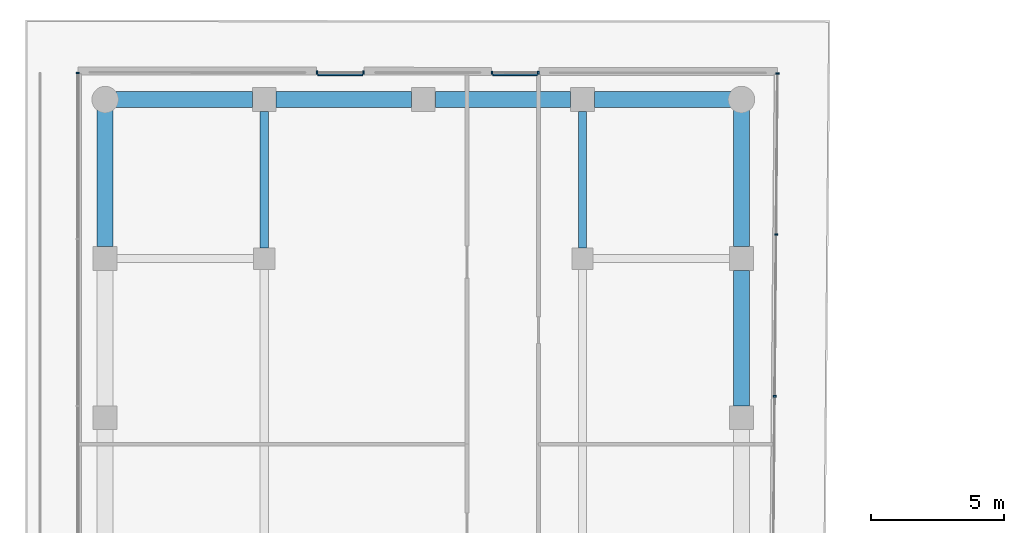
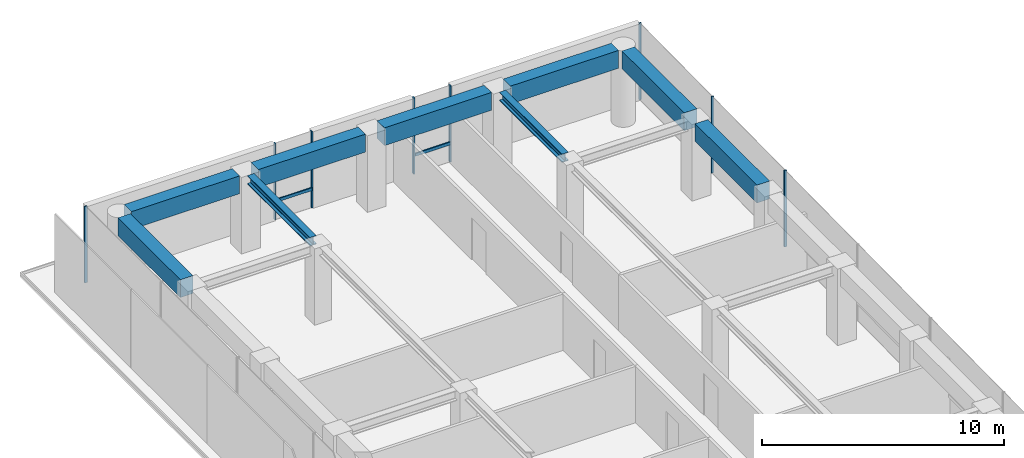
# One storey, part 16 of 23: 10 members, 9 beams, 4 elements without a shape of their own.
"""IFC4 building model written with IfcOpenShell, lengths in metres."""

from ifc_helpers import new_model, si_unit, direction, frame, origin, origin_2d, place, context, subcontext, project, spatial, rectangle, i_section, extrude, material, layer, layer_set, material_profile, profile_set, type_object, element, aggregate, save


model = new_model("IFC4")

# Units and contexts
model_context = context("Model", 3, precision=1e-05, world=origin(), true_north=direction((0.0, 1.0)))
body_context = subcontext(model_context, "Body", "Model", "MODEL_VIEW")
ifc_project = project(units=[si_unit("LENGTHUNIT", "METRE"), si_unit("AREAUNIT", "SQUARE_METRE"), si_unit("VOLUMEUNIT", "CUBIC_METRE"), si_unit("PLANEANGLEUNIT", "RADIAN"), si_unit("MASSUNIT", "GRAM", prefix="KILO")], contexts=[model_context])

# Site, building, storey
site_placement = place(None, origin())
site = spatial("IfcSite", under=ifc_project, at=site_placement, CompositionType="ELEMENT")
building_placement = place(site_placement, origin())
building = spatial("IfcBuilding", under=site, at=building_placement, Name="Welwitschia Terrace Campus", CompositionType="ELEMENT")
storey_placement = place(building_placement, frame((0.0, 0.0, 113.0)))
storey = spatial("IfcBuildingStorey", under=building, at=storey_placement, Name="L25", CompositionType="ELEMENT", Elevation=113.0)

# Beams
ifc_material_1 = material(Name="Steel S355", Category="steel")
ifc_material_profile_1 = material_profile(ifc_material_1, i_section(OverallWidth=0.306884765625, OverallDepth=0.431884765625, WebThickness=0.02099609375, FlangeThickness=0.0400390625, FilletRadius=0.027099609375, at=origin_2d()))
ifc_profile_set_1 = profile_set([ifc_material_profile_1], Name="Steel S355")
beam_type_1 = type_object("IfcBeamType", Name="Interior girder HE 400 M", PredefinedType="BEAM", material=ifc_profile_set_1)
for number, where, z_axis, x_axis, name in (
    (1, (6.0, 64.400390625, 3.634033203125), (0.0, 1.0, 0.0), (-1.0, 0.0, 0.0), "Girder GB3"),
    (2, (18.0, 64.400390625, 3.634033203125), (0.0, 1.0, 0.0), (-1.0, 0.0, 0.0), "Girder GB3"),
):
    element("IfcBeam", number, at=place(storey_placement, frame(where, z_axis=z_axis, x_axis=x_axis)), inside=storey, type_object=beam_type_1, Name=name, PredefinedType="BEAM", context=body_context, shape_type="SweptSolid", body=[
        extrude(i_section(OverallWidth=0.306884765625, OverallDepth=0.431884765625, WebThickness=0.02099609375, FlangeThickness=0.0400390625, FilletRadius=0.027099609375, at=origin_2d()), origin(), (0.0, 0.0, 1.0), 5.1591796875),
    ])

# Curtain wall, members
ifc_material_2 = material(Name="Bronze anodised aluminium", Category="aluminium")
ifc_layer = layer(ifc_material_2, 0.1201171875)
ifc_layer_set = layer_set([ifc_layer], Name="Bronze anodised aluminium")
curtain_wall_type = type_object("IfcCurtainWallType", Name="Curtain wall CW2 tower 6000", PredefinedType="NOTDEFINED", material=ifc_layer_set)
curtain_wall_1_placement = place(storey_placement, origin())
curtain_wall_1 = element("IfcCurtainWall", 3, at=curtain_wall_1_placement, inside=storey, type_object=curtain_wall_type, Name="CW L25.0.S0", PredefinedType="NOTDEFINED")
ifc_material_3 = material(Name="Bronze anodised aluminium", Category="aluminium")
ifc_material_profile_2 = material_profile(ifc_material_3, rectangle(XDim=0.1201171875, YDim=0.06005859375, at=origin_2d()))
ifc_profile_set_2 = profile_set([ifc_material_profile_2], Name="Bronze anodised aluminium")
member_type_1 = type_object("IfcMemberType", Name="Mullion 60x120", PredefinedType="MULLION", material=ifc_profile_set_2)
member_1_placement = place(storey_placement, frame((16.333984375, 71.015625, 0.0), z_axis=(0.0, 0.0, 1.0), x_axis=(-0.000823974926, -0.999999660533, 0.0)))
member_1 = element("IfcMember", 4, at=member_1_placement, type_object=member_type_1, Name="Mullion L25.0.S0.0", PredefinedType="MULLION", context=body_context, shape_type="SweptSolid", body=[
    extrude(rectangle(XDim=0.1201171875, YDim=0.06005859375, at=origin_2d()), origin(), (0.0, 0.0, 1.0), 3.85009765625),
])
member_2_placement = place(storey_placement, frame((14.593994140625, 71.01708984375, 0.0), z_axis=(0.0, 0.0, 1.0), x_axis=(-0.000823974926, -0.999999660533, 0.0)))
member_2 = element("IfcMember", 5, at=member_2_placement, type_object=member_type_1, Name="Mullion L25.0.S0.1", PredefinedType="MULLION", context=body_context, shape_type="SweptSolid", body=[
    extrude(rectangle(XDim=0.1201171875, YDim=0.06005859375, at=origin_2d()), origin(), (0.0, 0.0, 1.0), 3.85009765625),
])

curtain_wall_2_placement = place(storey_placement, origin())
curtain_wall_2 = element("IfcCurtainWall", 6, at=curtain_wall_2_placement, inside=storey, type_object=curtain_wall_type, Name="CW L25.0.S1", PredefinedType="NOTDEFINED")
member_3_placement = place(storey_placement, frame((9.736328125, 71.021240234375, 0.0), z_axis=(0.0, 0.0, 1.0), x_axis=(-0.000823974926, -0.999999660533, 0.0)))
member_3 = element("IfcMember", 7, at=member_3_placement, type_object=member_type_1, Name="Mullion L25.0.S1.0", PredefinedType="MULLION", context=body_context, shape_type="SweptSolid", body=[
    extrude(rectangle(XDim=0.1201171875, YDim=0.06005859375, at=origin_2d()), origin(), (0.0, 0.0, 1.0), 3.85009765625),
])
member_4_placement = place(storey_placement, frame((7.996337890625, 71.022705078125, 0.0), z_axis=(0.0, 0.0, 1.0), x_axis=(-0.000823974926, -0.999999660533, 0.0)))
member_4 = element("IfcMember", 8, at=member_4_placement, type_object=member_type_1, Name="Mullion L25.0.S1.1", PredefinedType="MULLION", context=body_context, shape_type="SweptSolid", body=[
    extrude(rectangle(XDim=0.1201171875, YDim=0.06005859375, at=origin_2d()), origin(), (0.0, 0.0, 1.0), 3.85009765625),
])

# Curtain wall, member
curtain_wall_3_placement = place(storey_placement, origin())
curtain_wall_3 = element("IfcCurtainWall", 9, at=curtain_wall_3_placement, inside=storey, type_object=curtain_wall_type, Name="CW L25.1.0", PredefinedType="NOTDEFINED")
member_5_placement = place(storey_placement, frame((-1.030029296875, 71.0, 0.0), z_axis=(0.0, 0.0, 1.0), x_axis=(1.0, 0.0, 0.0)))
member_5 = element("IfcMember", 10, at=member_5_placement, type_object=member_type_1, Name="Mullion L25.1.0.0", PredefinedType="MULLION", context=body_context, shape_type="SweptSolid", body=[
    extrude(rectangle(XDim=0.1201171875, YDim=0.06005859375, at=origin_2d()), origin(), (0.0, 0.0, 1.0), 3.85009765625),
])
aggregate(curtain_wall_3, [member_5])

# Curtain wall, members
curtain_wall_4_placement = place(storey_placement, origin())
curtain_wall_4 = element("IfcCurtainWall", 11, at=curtain_wall_4_placement, inside=storey, type_object=curtain_wall_type, Name="CW L25.11.0", PredefinedType="NOTDEFINED")
member_6_placement = place(storey_placement, frame((25.253662109375, 58.810791015625, 0.0), z_axis=(0.0, 0.0, 1.0), x_axis=(-0.999961923064, 0.008726535498, 0.0)))
member_6 = element("IfcMember", 12, at=member_6_placement, type_object=member_type_1, Name="Mullion L25.11.0.4", PredefinedType="MULLION", context=body_context, shape_type="SweptSolid", body=[
    extrude(rectangle(XDim=0.1201171875, YDim=0.06005859375, at=origin_2d()), origin(), (0.0, 0.0, 1.0), 3.85009765625),
])
member_7_placement = place(storey_placement, frame((25.306884765625, 64.909423828125, 0.0), z_axis=(0.0, 0.0, 1.0), x_axis=(-0.999961923064, 0.008726535498, 0.0)))
member_7 = element("IfcMember", 13, at=member_7_placement, type_object=member_type_1, Name="Mullion L25.11.0.5", PredefinedType="MULLION", context=body_context, shape_type="SweptSolid", body=[
    extrude(rectangle(XDim=0.1201171875, YDim=0.06005859375, at=origin_2d()), origin(), (0.0, 0.0, 1.0), 3.85009765625),
])
member_8_placement = place(storey_placement, frame((25.35986328125, 70.978271484375, 0.0), z_axis=(0.0, 0.0, 1.0), x_axis=(-0.999961923064, 0.008726535498, 0.0)))
member_8 = element("IfcMember", 14, at=member_8_placement, type_object=member_type_1, Name="Mullion L25.11.0.6", PredefinedType="MULLION", context=body_context, shape_type="SweptSolid", body=[
    extrude(rectangle(XDim=0.1201171875, YDim=0.06005859375, at=origin_2d()), origin(), (0.0, 0.0, 1.0), 3.85009765625),
])
aggregate(curtain_wall_4, [member_6, member_7, member_8])

# Beams
ifc_material_4 = material(Name="Concrete C60/75", Category="concrete")
ifc_material_profile_3 = material_profile(ifc_material_4, rectangle(XDim=0.60009765625, YDim=0.89990234375, at=origin_2d()))
ifc_profile_set_3 = profile_set([ifc_material_profile_3], Name="Concrete C60/75")
beam_type_2 = type_object("IfcBeamType", Name="Ring spandrel 600x900", PredefinedType="SPANDREL", material=ifc_profile_set_3)
beam_placement = place(storey_placement, frame((24.0, 58.450439453125, 3.39990234375), z_axis=(0.0, 1.0, 0.0), x_axis=(-1.0, 0.0, 0.0)))
element("IfcBeam", 15, at=beam_placement, inside=storey, type_object=beam_type_2, Name="Spandrel SP2", PredefinedType="SPANDREL", context=body_context, shape_type="SweptSolid", body=[
    extrude(rectangle(XDim=0.60009765625, YDim=0.89990234375, at=origin_2d()), origin(), (0.0, 0.0, 1.0), 5.09912109375),
])
for number, where, z_axis, x_axis, name in (
    (16, (24.0, 64.450439453125, 3.39990234375), (0.0, 1.0, 0.0), (-1.0, 0.0, 0.0), "Spandrel SP2"),
    (17, (23.599609375, 70.0, 3.39990234375), (-1.0, 0.0, 0.0), (0.0, -1.0, 0.0), "Spandrel SP2"),
):
    element("IfcBeam", number, at=place(storey_placement, frame(where, z_axis=z_axis, x_axis=x_axis)), inside=storey, type_object=beam_type_2, Name=name, PredefinedType="SPANDREL", context=body_context, shape_type="SweptSolid", body=[
        extrude(rectangle(XDim=0.60009765625, YDim=0.89990234375, at=origin_2d()), origin(), (0.0, 0.0, 1.0), 5.149169921875),
    ])
for number, where, z_axis, x_axis, name in (
    (18, (17.549560546875, 70.0, 3.39990234375), (-1.0, 0.0, 0.0), (0.0, -1.0, 0.0), "Spandrel SP2"),
    (19, (11.549560546875, 70.0, 3.39990234375), (-1.0, 0.0, 0.0), (0.0, -1.0, 0.0), "Spandrel SP2"),
):
    element("IfcBeam", number, at=place(storey_placement, frame(where, z_axis=z_axis, x_axis=x_axis)), inside=storey, type_object=beam_type_2, Name=name, PredefinedType="SPANDREL", context=body_context, shape_type="SweptSolid", body=[
        extrude(rectangle(XDim=0.60009765625, YDim=0.89990234375, at=origin_2d()), origin(), (0.0, 0.0, 1.0), 5.09912109375),
    ])
for number, where, z_axis, x_axis, name in (
    (20, (5.549560546875, 70.0, 3.39990234375), (-1.0, 0.0, 0.0), (0.0, -1.0, 0.0), "Spandrel SP2"),
    (21, (0.0, 69.599609375, 3.39990234375), (0.0, -1.0, 0.0), (1.0, 0.0, 0.0), "Spandrel SP2"),
):
    element("IfcBeam", number, at=place(storey_placement, frame(where, z_axis=z_axis, x_axis=x_axis)), inside=storey, type_object=beam_type_2, Name=name, PredefinedType="SPANDREL", context=body_context, shape_type="SweptSolid", body=[
        extrude(rectangle(XDim=0.60009765625, YDim=0.89990234375, at=origin_2d()), origin(), (0.0, 0.0, 1.0), 5.149169921875),
    ])

# Member
ifc_material_5 = material(Name="Bronze anodised aluminium", Category="aluminium")
ifc_material_profile_4 = material_profile(ifc_material_5, rectangle(XDim=0.06005859375, YDim=0.14990234375, at=origin_2d()))
ifc_profile_set_4 = profile_set([ifc_material_profile_4], Name="Bronze anodised aluminium")
member_type_2 = type_object("IfcMemberType", Name="Transom 60x150", PredefinedType="USERDEFINED", material=ifc_profile_set_4)
member_9_placement = place(storey_placement, frame((16.3037109375, 70.92578125, 1.0), z_axis=(-0.999999619838, 0.000871965952, 0.0), x_axis=(-0.000871965952, -0.999999619838, 0.0)))
member_9 = element("IfcMember", 22, at=member_9_placement, type_object=member_type_2, Name="Transom L25.0.S0", ObjectType="TRANSOM", PredefinedType="USERDEFINED", context=body_context, shape_type="SweptSolid", body=[
    extrude(rectangle(XDim=0.06005859375, YDim=0.14990234375, at=origin_2d()), origin(), (0.0, 0.0, 1.0), 1.679931640625),
])

aggregate(curtain_wall_1, [member_1, member_2, member_9])

member_10_placement = place(storey_placement, frame((9.706298828125, 70.93115234375, 1.0), z_axis=(-0.999999619838, 0.000871965952, 0.0), x_axis=(-0.000871965952, -0.999999619838, 0.0)))
member_10 = element("IfcMember", 23, at=member_10_placement, type_object=member_type_2, Name="Transom L25.0.S1", ObjectType="TRANSOM", PredefinedType="USERDEFINED", context=body_context, shape_type="SweptSolid", body=[
    extrude(rectangle(XDim=0.06005859375, YDim=0.14990234375, at=origin_2d()), origin(), (0.0, 0.0, 1.0), 1.679931640625),
])

aggregate(curtain_wall_2, [member_3, member_4, member_10])

save(model, "model.ifc")
